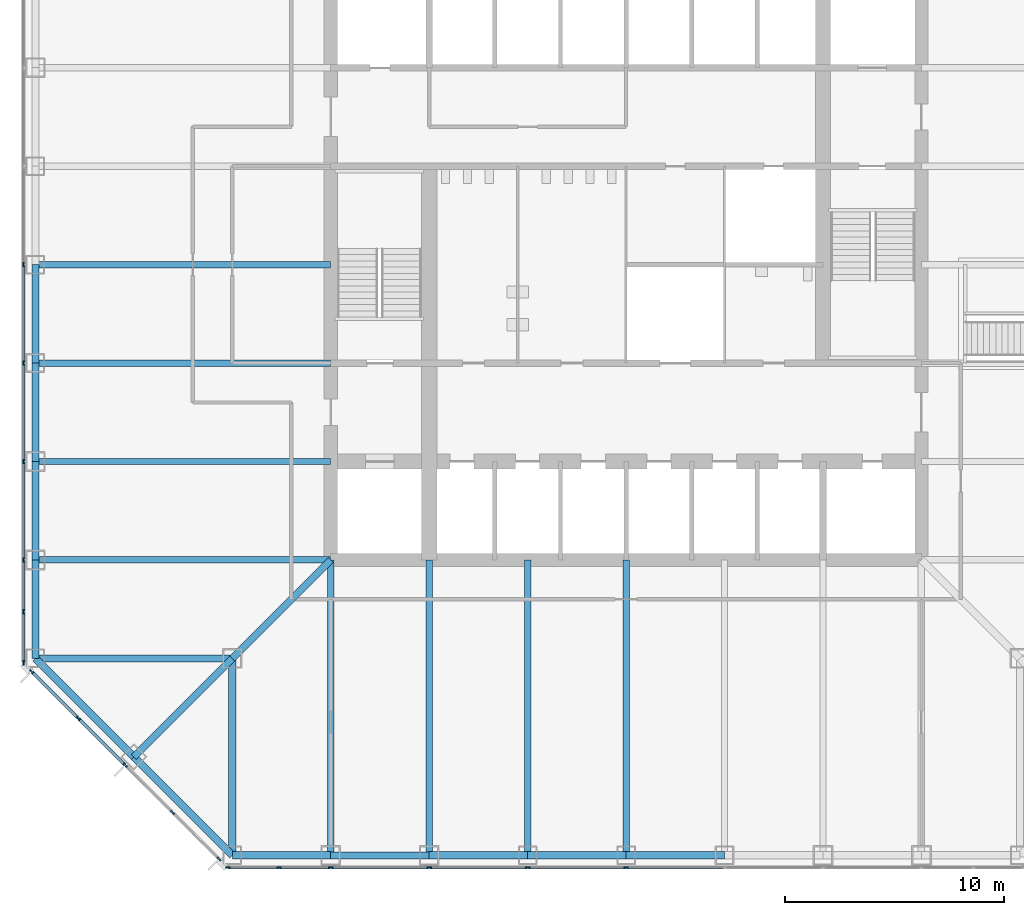
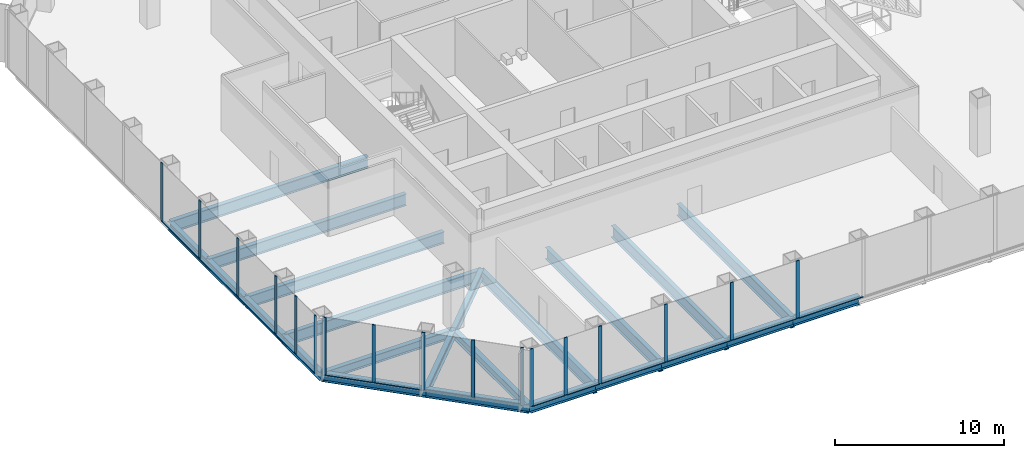
# One storey, part 2 of 12: 30 members, 23 beams, 3 elements without a shape of their own.
"""IFC4 building model written with IfcOpenShell, lengths in metres."""

from ifc_helpers import new_model, si_unit, direction, frame, origin, origin_2d, place, context, subcontext, project, spatial, rectangle, i_section, extrude, material, material_profile, profile_set, type_object, element, aggregate, save


model = new_model("IFC4")

# Units and contexts
model_context = context("Model", 3, precision=1e-05, world=origin(), true_north=direction((0.0, 1.0)))
body_context = subcontext(model_context, "Body", "Model", "MODEL_VIEW")
ifc_project = project(units=[si_unit("LENGTHUNIT", "METRE"), si_unit("AREAUNIT", "SQUARE_METRE"), si_unit("VOLUMEUNIT", "CUBIC_METRE"), si_unit("PLANEANGLEUNIT", "RADIAN"), si_unit("MASSUNIT", "GRAM", prefix="KILO")], contexts=[model_context])

# Site, building, storey
site_placement = place(None, origin())
site = spatial("IfcSite", under=ifc_project, at=site_placement, CompositionType="ELEMENT")
building_placement = place(site_placement, origin())
building = spatial("IfcBuilding", under=site, at=building_placement, Name="Corais Broadcast Tower", CompositionType="ELEMENT")
storey_placement = place(building_placement, frame((0.0, 0.0, 33.199951171875)))
storey = spatial("IfcBuildingStorey", under=building, at=storey_placement, Name="L06", CompositionType="ELEMENT", Elevation=33.199951171875)

# Beams
ifc_material_1 = material(Name="Steel ASTM A572 Grade 50", Category="steel")
ifc_material_profile_1 = material_profile(ifc_material_1, i_section(OverallWidth=0.323974609375, OverallDepth=0.611083984375, WebThickness=0.0126953125, FlangeThickness=0.01904296875, at=origin_2d()), Name="W610x155")
ifc_profile_set_1 = profile_set([ifc_material_profile_1], Name="Steel ASTM A572 Grade 50")
beam_type_1 = type_object("IfcBeamType", Name="Chamfer tie W610x155", PredefinedType="BEAM", material=ifc_profile_set_1)
beam_1_placement = place(storey_placement, frame((4.5, 4.5, -0.46533203125), z_axis=(0.707106781187, 0.707106781187, 0.0), x_axis=(-0.707106781187, 0.707106781187, 0.0)))
element("IfcBeam", 1, at=beam_1_placement, inside=storey, type_object=beam_type_1, Name="B5 B/4 to C/5", PredefinedType="BEAM", context=body_context, shape_type="SweptSolid", body=[
    extrude(i_section(OverallWidth=0.323974609375, OverallDepth=0.611083984375, WebThickness=0.0126953125, FlangeThickness=0.01904296875, at=origin_2d()), origin(), (0.0, 0.0, 1.0), 6.364013671875),
])
ifc_material_2 = material(Name="Steel ASTM A572 Grade 50", Category="steel")
ifc_material_profile_2 = material_profile(ifc_material_2, i_section(OverallWidth=0.323974609375, OverallDepth=0.611083984375, WebThickness=0.0126953125, FlangeThickness=0.01904296875, at=origin_2d()), Name="W610x155")
ifc_profile_set_2 = profile_set([ifc_material_profile_2], Name="Steel ASTM A572 Grade 50")
beam_type_2 = type_object("IfcBeamType", Name="Corner diagonal W610x155", PredefinedType="BEAM", material=ifc_profile_set_2)
beam_2_placement = place(storey_placement, frame((9.0, 9.0, -0.46533203125), z_axis=(0.707106781187, 0.707106781187, 0.0), x_axis=(-0.707106781187, 0.707106781187, 0.0)))
element("IfcBeam", 2, at=beam_2_placement, inside=storey, type_object=beam_type_2, Name="B6 C/5 to D/6", PredefinedType="BEAM", context=body_context, shape_type="SweptSolid", body=[
    extrude(i_section(OverallWidth=0.323974609375, OverallDepth=0.611083984375, WebThickness=0.0126953125, FlangeThickness=0.01904296875, at=origin_2d()), origin(), (0.0, 0.0, 1.0), 6.364013671875),
])
ifc_material_3 = material(Name="Steel ASTM A572 Grade 50", Category="steel")
ifc_material_profile_3 = material_profile(ifc_material_3, i_section(OverallWidth=0.323974609375, OverallDepth=0.611083984375, WebThickness=0.0126953125, FlangeThickness=0.01904296875, at=origin_2d()), Name="W610x155")
ifc_profile_set_3 = profile_set([ifc_material_profile_3], Name="Steel ASTM A572 Grade 50")
beam_type_3 = type_object("IfcBeamType", Name="Corner girder W610x155", PredefinedType="BEAM", material=ifc_profile_set_3)
for number, where, z_axis, x_axis, name in (
    (3, (0.0, 9.0, -0.46533203125), (1.0, 0.0, 0.0), (0.0, 1.0, 0.0), "B4 C/3 to C/5"),
    (4, (9.0, 0.0, -0.46533203125), (0.0, 1.0, 0.0), (-1.0, 0.0, 0.0), "B4 A/5 to C/5"),
):
    element("IfcBeam", number, at=place(storey_placement, frame(where, z_axis=z_axis, x_axis=x_axis)), inside=storey, type_object=beam_type_3, Name=name, PredefinedType="BEAM", context=body_context, shape_type="SweptSolid", body=[
        extrude(i_section(OverallWidth=0.323974609375, OverallDepth=0.611083984375, WebThickness=0.0126953125, FlangeThickness=0.01904296875, at=origin_2d()), origin(), (0.0, 0.0, 1.0), 9.0),
    ])
ifc_material_4 = material(Name="Steel ASTM A572 Grade 50", Category="steel")
ifc_material_profile_4 = material_profile(ifc_material_4, i_section(OverallWidth=0.2939453125, OverallDepth=0.85107421875, WebThickness=0.01611328125, FlangeThickness=0.02685546875, at=origin_2d()), Name="W840x226")
ifc_profile_set_4 = profile_set([ifc_material_profile_4], Name="Steel ASTM A572 Grade 50")
beam_type_4 = type_object("IfcBeamType", Name="Floor beam W840x226", PredefinedType="BEAM", material=ifc_profile_set_4)
for number, where, z_axis, x_axis, name in (
    (5, (0.0, 13.5, -0.58544921875), (1.0, 0.0, 0.0), (0.0, 1.0, 0.0), "B1 D/3 to D/6"),
    (6, (0.0, 18.0, -0.58544921875), (1.0, 0.0, 0.0), (0.0, 1.0, 0.0), "B1 E/3 to E/6"),
    (7, (0.0, 22.5, -0.58544921875), (1.0, 0.0, 0.0), (0.0, 1.0, 0.0), "B1 F/3 to F/6"),
    (8, (0.0, 27.0, -0.58544921875), (1.0, 0.0, 0.0), (0.0, 1.0, 0.0), "B1 G/3 to G/6"),
    (9, (13.5, 0.0, -0.58544921875), (0.0, 1.0, 0.0), (-1.0, 0.0, 0.0), "B1 A/6 to D/6"),
    (10, (18.0, 0.0, -0.58544921875), (0.0, 1.0, 0.0), (-1.0, 0.0, 0.0), "B1 A/7 to D/7"),
    (11, (22.5, 0.0, -0.58544921875), (0.0, 1.0, 0.0), (-1.0, 0.0, 0.0), "B1 A/8 to D/8"),
    (12, (27.0, 0.0, -0.58544921875), (0.0, 1.0, 0.0), (-1.0, 0.0, 0.0), "B1 A/9 to D/9"),
):
    element("IfcBeam", number, at=place(storey_placement, frame(where, z_axis=z_axis, x_axis=x_axis)), inside=storey, type_object=beam_type_4, Name=name, PredefinedType="BEAM", context=body_context, shape_type="SweptSolid", body=[
        extrude(i_section(OverallWidth=0.2939453125, OverallDepth=0.85107421875, WebThickness=0.01611328125, FlangeThickness=0.02685546875, at=origin_2d()), origin(), (0.0, 0.0, 1.0), 13.5),
    ])

# Curtain wall, members
ifc_material_5 = material(Name="Aluminium and glass", Category="aluminium")
curtain_wall_type = type_object("IfcCurtainWallType", Name="Newsroom clear-glass curtain wall CW7", PredefinedType="NOTDEFINED", material=ifc_material_5)
curtain_wall_1_placement = place(storey_placement, origin())
curtain_wall_1 = element("IfcCurtainWall", 13, at=curtain_wall_1_placement, inside=storey, type_object=curtain_wall_type, Name="CW7 curtain wall L06 1", PredefinedType="NOTDEFINED")
ifc_material_6 = material(Name="Aluminium 6063-T6", Category="aluminium")
ifc_material_profile_5 = material_profile(ifc_material_6, rectangle(XDim=0.06494140625, YDim=0.219970703125, at=origin_2d()), Name="Mullion CW7 65x220")
ifc_profile_set_5 = profile_set([ifc_material_profile_5], Name="Aluminium 6063-T6")
member_type_1 = type_object("IfcMemberType", Name="Mullion CW7 65x220", PredefinedType="MULLION", material=ifc_profile_set_5)
member_1_placement = place(storey_placement, frame((8.3955078125, -0.17333984375, 0.0), z_axis=(0.0, 0.0, 1.0), x_axis=(-0.707106781187, -0.707106781187, 0.0)))
member_1 = element("IfcMember", 14, at=member_1_placement, type_object=member_type_1, Name="CW7 mullion 1", PredefinedType="MULLION", context=body_context, shape_type="SweptSolid", body=[
    extrude(rectangle(XDim=0.06494140625, YDim=0.219970703125, at=origin_2d()), origin(), (0.0, 0.0, 1.0), 4.199951171875),
])
member_2_placement = place(storey_placement, frame((6.264892578125, 1.957275390625, 0.0), z_axis=(0.0, 0.0, 1.0), x_axis=(-0.707106781187, -0.707106781187, 0.0)))
member_2 = element("IfcMember", 15, at=member_2_placement, type_object=member_type_1, Name="CW7 mullion 2", PredefinedType="MULLION", context=body_context, shape_type="SweptSolid", body=[
    extrude(rectangle(XDim=0.06494140625, YDim=0.219970703125, at=origin_2d()), origin(), (0.0, 0.0, 1.0), 4.199951171875),
])
member_3_placement = place(storey_placement, frame((4.111083984375, 4.111083984375, 0.0), z_axis=(0.0, 0.0, 1.0), x_axis=(-0.707106781187, -0.707106781187, 0.0)))
member_3 = element("IfcMember", 16, at=member_3_placement, type_object=member_type_1, Name="CW7 mullion 3", PredefinedType="MULLION", context=body_context, shape_type="SweptSolid", body=[
    extrude(rectangle(XDim=0.06494140625, YDim=0.219970703125, at=origin_2d()), origin(), (0.0, 0.0, 1.0), 4.199951171875),
])
member_4_placement = place(storey_placement, frame((1.957275390625, 6.264892578125, 0.0), z_axis=(0.0, 0.0, 1.0), x_axis=(-0.707106781187, -0.707106781187, 0.0)))
member_4 = element("IfcMember", 17, at=member_4_placement, type_object=member_type_1, Name="CW7 mullion 4", PredefinedType="MULLION", context=body_context, shape_type="SweptSolid", body=[
    extrude(rectangle(XDim=0.06494140625, YDim=0.219970703125, at=origin_2d()), origin(), (0.0, 0.0, 1.0), 4.199951171875),
])
member_5_placement = place(storey_placement, frame((-0.17333984375, 8.3955078125, 0.0), z_axis=(0.0, 0.0, 1.0), x_axis=(-0.707106781187, -0.707106781187, 0.0)))
member_5 = element("IfcMember", 18, at=member_5_placement, type_object=member_type_1, Name="CW7 mullion 5", PredefinedType="MULLION", context=body_context, shape_type="SweptSolid", body=[
    extrude(rectangle(XDim=0.06494140625, YDim=0.219970703125, at=origin_2d()), origin(), (0.0, 0.0, 1.0), 4.199951171875),
])

curtain_wall_2_placement = place(storey_placement, origin())
curtain_wall_2 = element("IfcCurtainWall", 19, at=curtain_wall_2_placement, inside=storey, type_object=curtain_wall_type, Name="CW7 curtain wall L06 2", PredefinedType="NOTDEFINED")
member_6_placement = place(storey_placement, frame((-0.550048828125, 8.8046875, 0.0), z_axis=(0.0, 0.0, 1.0), x_axis=(-1.0, 0.0, 0.0)))
member_6 = element("IfcMember", 20, at=member_6_placement, type_object=member_type_1, Name="CW7 mullion 1", PredefinedType="MULLION", context=body_context, shape_type="SweptSolid", body=[
    extrude(rectangle(XDim=0.06494140625, YDim=0.219970703125, at=origin_2d()), origin(), (0.0, 0.0, 1.0), 4.199951171875),
])
member_7_placement = place(storey_placement, frame((-0.550048828125, 11.135986328125, 0.0), z_axis=(0.0, 0.0, 1.0), x_axis=(-1.0, 0.0, 0.0)))
member_7 = element("IfcMember", 21, at=member_7_placement, type_object=member_type_1, Name="CW7 mullion 2", PredefinedType="MULLION", context=body_context, shape_type="SweptSolid", body=[
    extrude(rectangle(XDim=0.06494140625, YDim=0.219970703125, at=origin_2d()), origin(), (0.0, 0.0, 1.0), 4.199951171875),
])
member_8_placement = place(storey_placement, frame((-0.550048828125, 13.5, 0.0), z_axis=(0.0, 0.0, 1.0), x_axis=(-1.0, 0.0, 0.0)))
member_8 = element("IfcMember", 22, at=member_8_placement, type_object=member_type_1, Name="CW7 mullion 3", PredefinedType="MULLION", context=body_context, shape_type="SweptSolid", body=[
    extrude(rectangle(XDim=0.06494140625, YDim=0.219970703125, at=origin_2d()), origin(), (0.0, 0.0, 1.0), 4.199951171875),
])
member_9_placement = place(storey_placement, frame((-0.550048828125, 18.0, 0.0), z_axis=(0.0, 0.0, 1.0), x_axis=(-1.0, 0.0, 0.0)))
member_9 = element("IfcMember", 23, at=member_9_placement, type_object=member_type_1, Name="CW7 mullion 4", PredefinedType="MULLION", context=body_context, shape_type="SweptSolid", body=[
    extrude(rectangle(XDim=0.06494140625, YDim=0.219970703125, at=origin_2d()), origin(), (0.0, 0.0, 1.0), 4.199951171875),
])
member_10_placement = place(storey_placement, frame((-0.550048828125, 22.5, 0.0), z_axis=(0.0, 0.0, 1.0), x_axis=(-1.0, 0.0, 0.0)))
member_10 = element("IfcMember", 24, at=member_10_placement, type_object=member_type_1, Name="CW7 mullion 5", PredefinedType="MULLION", context=body_context, shape_type="SweptSolid", body=[
    extrude(rectangle(XDim=0.06494140625, YDim=0.219970703125, at=origin_2d()), origin(), (0.0, 0.0, 1.0), 4.199951171875),
])
member_11_placement = place(storey_placement, frame((-0.550048828125, 27.0, 0.0), z_axis=(0.0, 0.0, 1.0), x_axis=(-1.0, 0.0, 0.0)))
member_11 = element("IfcMember", 25, at=member_11_placement, type_object=member_type_1, Name="CW7 mullion 6", PredefinedType="MULLION", context=body_context, shape_type="SweptSolid", body=[
    extrude(rectangle(XDim=0.06494140625, YDim=0.219970703125, at=origin_2d()), origin(), (0.0, 0.0, 1.0), 4.199951171875),
])

curtain_wall_3_placement = place(storey_placement, origin())
curtain_wall_3 = element("IfcCurtainWall", 26, at=curtain_wall_3_placement, inside=storey, type_object=curtain_wall_type, Name="CW7 curtain wall L06 8", PredefinedType="NOTDEFINED")
member_12_placement = place(storey_placement, frame((27.0, -0.550048828125, 0.0), z_axis=(0.0, 0.0, 1.0), x_axis=(0.0, -1.0, 0.0)))
member_12 = element("IfcMember", 27, at=member_12_placement, type_object=member_type_1, Name="CW7 mullion 6", PredefinedType="MULLION", context=body_context, shape_type="SweptSolid", body=[
    extrude(rectangle(XDim=0.06494140625, YDim=0.219970703125, at=origin_2d()), origin(), (0.0, 0.0, 1.0), 4.199951171875),
])
member_13_placement = place(storey_placement, frame((22.5, -0.550048828125, 0.0), z_axis=(0.0, 0.0, 1.0), x_axis=(0.0, -1.0, 0.0)))
member_13 = element("IfcMember", 28, at=member_13_placement, type_object=member_type_1, Name="CW7 mullion 7", PredefinedType="MULLION", context=body_context, shape_type="SweptSolid", body=[
    extrude(rectangle(XDim=0.06494140625, YDim=0.219970703125, at=origin_2d()), origin(), (0.0, 0.0, 1.0), 4.199951171875),
])
member_14_placement = place(storey_placement, frame((18.0, -0.550048828125, 0.0), z_axis=(0.0, 0.0, 1.0), x_axis=(0.0, -1.0, 0.0)))
member_14 = element("IfcMember", 29, at=member_14_placement, type_object=member_type_1, Name="CW7 mullion 8", PredefinedType="MULLION", context=body_context, shape_type="SweptSolid", body=[
    extrude(rectangle(XDim=0.06494140625, YDim=0.219970703125, at=origin_2d()), origin(), (0.0, 0.0, 1.0), 4.199951171875),
])
member_15_placement = place(storey_placement, frame((13.5, -0.550048828125, 0.0), z_axis=(0.0, 0.0, 1.0), x_axis=(0.0, -1.0, 0.0)))
member_15 = element("IfcMember", 30, at=member_15_placement, type_object=member_type_1, Name="CW7 mullion 9", PredefinedType="MULLION", context=body_context, shape_type="SweptSolid", body=[
    extrude(rectangle(XDim=0.06494140625, YDim=0.219970703125, at=origin_2d()), origin(), (0.0, 0.0, 1.0), 4.199951171875),
])
member_16_placement = place(storey_placement, frame((11.135986328125, -0.550048828125, 0.0), z_axis=(0.0, 0.0, 1.0), x_axis=(0.0, -1.0, 0.0)))
member_16 = element("IfcMember", 31, at=member_16_placement, type_object=member_type_1, Name="CW7 mullion 10", PredefinedType="MULLION", context=body_context, shape_type="SweptSolid", body=[
    extrude(rectangle(XDim=0.06494140625, YDim=0.219970703125, at=origin_2d()), origin(), (0.0, 0.0, 1.0), 4.199951171875),
])
member_17_placement = place(storey_placement, frame((8.8046875, -0.550048828125, 0.0), z_axis=(0.0, 0.0, 1.0), x_axis=(0.0, -1.0, 0.0)))
member_17 = element("IfcMember", 32, at=member_17_placement, type_object=member_type_1, Name="CW7 mullion 11", PredefinedType="MULLION", context=body_context, shape_type="SweptSolid", body=[
    extrude(rectangle(XDim=0.06494140625, YDim=0.219970703125, at=origin_2d()), origin(), (0.0, 0.0, 1.0), 4.199951171875),
])

# Beams
ifc_material_7 = material(Name="Steel ASTM A572 Grade 50", Category="steel")
ifc_material_profile_6 = material_profile(ifc_material_7, i_section(OverallWidth=0.323974609375, OverallDepth=0.611083984375, WebThickness=0.0126953125, FlangeThickness=0.01904296875, at=origin_2d()), Name="W610x155")
ifc_profile_set_6 = profile_set([ifc_material_profile_6], Name="Steel ASTM A572 Grade 50")
beam_type_5 = type_object("IfcBeamType", Name="Pinned spandrel W610x155", PredefinedType="BEAM", material=ifc_profile_set_6)
for number, where, z_axis, x_axis, name in (
    (33, (0.0, 18.0, -0.46533203125), (0.0, -1.0, 0.0), (1.0, 0.0, 0.0), "SB6 E/3 to D/3"),
    (34, (13.5, 0.0, -0.46533203125), (1.0, 0.0, 0.0), (0.0, 1.0, 0.0), "SB6 A/6 to A/7"),
):
    element("IfcBeam", number, at=place(storey_placement, frame(where, z_axis=z_axis, x_axis=x_axis)), inside=storey, type_object=beam_type_5, Name=name, PredefinedType="BEAM", context=body_context, shape_type="SweptSolid", body=[
        extrude(i_section(OverallWidth=0.323974609375, OverallDepth=0.611083984375, WebThickness=0.0126953125, FlangeThickness=0.01904296875, at=origin_2d()), origin(), (0.0, 0.0, 1.0), 4.5),
    ])
ifc_material_8 = material(Name="Steel ASTM A572 Grade 50", Category="steel")
ifc_material_profile_7 = material_profile(ifc_material_8, i_section(OverallWidth=0.3291015625, OverallDepth=0.635009765625, WebThickness=0.017822265625, FlangeThickness=0.031005859375, at=origin_2d()), Name="W610x241")
ifc_profile_set_7 = profile_set([ifc_material_profile_7], Name="Steel ASTM A572 Grade 50")
beam_type_6 = type_object("IfcBeamType", Name="Spandrel W610x241", PredefinedType="BEAM", material=ifc_profile_set_7)
for number, where, z_axis, x_axis, name in (
    (35, (0.0, 13.5, -0.4775390625), (0.0, -1.0, 0.0), (1.0, 0.0, 0.0), "SB1 D/3 to C/3"),
    (36, (0.0, 22.5, -0.4775390625), (0.0, -1.0, 0.0), (1.0, 0.0, 0.0), "SB1 F/3 to E/3"),
    (37, (0.0, 27.0, -0.4775390625), (0.0, -1.0, 0.0), (1.0, 0.0, 0.0), "SB1 G/3 to F/3"),
):
    element("IfcBeam", number, at=place(storey_placement, frame(where, z_axis=z_axis, x_axis=x_axis)), inside=storey, type_object=beam_type_6, Name=name, PredefinedType="BEAM", context=body_context, shape_type="SweptSolid", body=[
        extrude(i_section(OverallWidth=0.3291015625, OverallDepth=0.635009765625, WebThickness=0.017822265625, FlangeThickness=0.031005859375, at=origin_2d()), origin(), (0.0, 0.0, 1.0), 4.5),
    ])
beam_3_placement = place(storey_placement, frame((0.0, 9.0, -0.4775390625), z_axis=(0.707106781187, -0.707106781187, 0.0), x_axis=(0.707106781187, 0.707106781187, 0.0)))
element("IfcBeam", 38, at=beam_3_placement, inside=storey, type_object=beam_type_6, Name="SB1 C/3 to B/4", PredefinedType="BEAM", context=body_context, shape_type="SweptSolid", body=[
    extrude(i_section(OverallWidth=0.3291015625, OverallDepth=0.635009765625, WebThickness=0.017822265625, FlangeThickness=0.031005859375, at=origin_2d()), origin(), (0.0, 0.0, 1.0), 6.364013671875),
])
for number, where, z_axis, x_axis, name in (
    (39, (18.0, 0.0, -0.4775390625), (1.0, 0.0, 0.0), (0.0, 1.0, 0.0), "SB1 A/7 to A/8"),
    (40, (22.5, 0.0, -0.4775390625), (1.0, 0.0, 0.0), (0.0, 1.0, 0.0), "SB1 A/8 to A/9"),
    (41, (27.0, 0.0, -0.4775390625), (1.0, 0.0, 0.0), (0.0, 1.0, 0.0), "SB1 A/9 to A/10"),
):
    element("IfcBeam", number, at=place(storey_placement, frame(where, z_axis=z_axis, x_axis=x_axis)), inside=storey, type_object=beam_type_6, Name=name, PredefinedType="BEAM", context=body_context, shape_type="SweptSolid", body=[
        extrude(i_section(OverallWidth=0.3291015625, OverallDepth=0.635009765625, WebThickness=0.017822265625, FlangeThickness=0.031005859375, at=origin_2d()), origin(), (0.0, 0.0, 1.0), 4.5),
    ])
beam_4_placement = place(storey_placement, frame((4.5, 4.5, -0.4775390625), z_axis=(0.707106781187, -0.707106781187, 0.0), x_axis=(0.707106781187, 0.707106781187, 0.0)))
element("IfcBeam", 42, at=beam_4_placement, inside=storey, type_object=beam_type_6, Name="SB1 B/4 to A/5", PredefinedType="BEAM", context=body_context, shape_type="SweptSolid", body=[
    extrude(i_section(OverallWidth=0.3291015625, OverallDepth=0.635009765625, WebThickness=0.017822265625, FlangeThickness=0.031005859375, at=origin_2d()), origin(), (0.0, 0.0, 1.0), 6.364013671875),
])
beam_5_placement = place(storey_placement, frame((9.0, 0.0, -0.4775390625), z_axis=(1.0, 0.0, 0.0), x_axis=(0.0, 1.0, 0.0)))
element("IfcBeam", 43, at=beam_5_placement, inside=storey, type_object=beam_type_6, Name="SB1 A/5 to A/6", PredefinedType="BEAM", context=body_context, shape_type="SweptSolid", body=[
    extrude(i_section(OverallWidth=0.3291015625, OverallDepth=0.635009765625, WebThickness=0.017822265625, FlangeThickness=0.031005859375, at=origin_2d()), origin(), (0.0, 0.0, 1.0), 4.5),
])

# Member
ifc_material_9 = material(Name="Aluminium 6063-T6", Category="aluminium")
ifc_material_profile_8 = material_profile(ifc_material_9, rectangle(XDim=0.14990234375, YDim=0.06494140625, at=origin_2d()), Name="Transom CW7 65x150")
ifc_profile_set_8 = profile_set([ifc_material_profile_8], Name="Aluminium 6063-T6")
member_type_2 = type_object("IfcMemberType", Name="Transom CW7 65x150", PredefinedType="USERDEFINED", material=ifc_profile_set_8)
member_18_placement = place(storey_placement, frame((4.088134765625, 4.134033203125, 0.032470703125), z_axis=(-0.707106781187, 0.707106781187, 0.0), x_axis=(-0.707106781187, -0.707106781187, 0.0)))
member_18 = element("IfcMember", 44, at=member_18_placement, type_object=member_type_2, Name="CW7 transom 3.1", ObjectType="TRANSOM", PredefinedType="USERDEFINED", context=body_context, shape_type="SweptSolid", body=[
    extrude(rectangle(XDim=0.14990234375, YDim=0.06494140625, at=origin_2d()), origin(), (0.0, 0.0, 1.0), 2.98095703125),
])

member_19_placement = place(storey_placement, frame((1.934326171875, 6.287841796875, 0.032470703125), z_axis=(-0.707106781187, 0.707106781187, 0.0), x_axis=(-0.707106781187, -0.707106781187, 0.0)))
member_19 = element("IfcMember", 45, at=member_19_placement, type_object=member_type_2, Name="CW7 transom 4.1", ObjectType="TRANSOM", PredefinedType="USERDEFINED", context=body_context, shape_type="SweptSolid", body=[
    extrude(rectangle(XDim=0.14990234375, YDim=0.06494140625, at=origin_2d()), origin(), (0.0, 0.0, 1.0), 2.9482421875),
])

aggregate(curtain_wall_1, [member_1, member_2, member_3, member_4, member_5, member_18, member_19])

member_20_placement = place(storey_placement, frame((-0.550048828125, 8.837158203125, 0.032470703125), z_axis=(0.0, 1.0, 0.0), x_axis=(-1.0, 0.0, 0.0)))
member_20 = element("IfcMember", 46, at=member_20_placement, type_object=member_type_2, Name="CW7 transom 1.1", ObjectType="TRANSOM", PredefinedType="USERDEFINED", context=body_context, shape_type="SweptSolid", body=[
    extrude(rectangle(XDim=0.14990234375, YDim=0.06494140625, at=origin_2d()), origin(), (0.0, 0.0, 1.0), 2.266357421875),
])

member_21_placement = place(storey_placement, frame((-0.550048828125, 11.168701171875, 0.032470703125), z_axis=(0.0, 1.0, 0.0), x_axis=(-1.0, 0.0, 0.0)))
member_21 = element("IfcMember", 47, at=member_21_placement, type_object=member_type_2, Name="CW7 transom 2.1", ObjectType="TRANSOM", PredefinedType="USERDEFINED", context=body_context, shape_type="SweptSolid", body=[
    extrude(rectangle(XDim=0.14990234375, YDim=0.06494140625, at=origin_2d()), origin(), (0.0, 0.0, 1.0), 2.298828125),
])

member_22_placement = place(storey_placement, frame((-0.550048828125, 13.532470703125, 0.032470703125), z_axis=(0.0, 1.0, 0.0), x_axis=(-1.0, 0.0, 0.0)))
member_22 = element("IfcMember", 48, at=member_22_placement, type_object=member_type_2, Name="CW7 transom 3.1", ObjectType="TRANSOM", PredefinedType="USERDEFINED", context=body_context, shape_type="SweptSolid", body=[
    extrude(rectangle(XDim=0.14990234375, YDim=0.06494140625, at=origin_2d()), origin(), (0.0, 0.0, 1.0), 4.43505859375),
])

member_23_placement = place(storey_placement, frame((-0.550048828125, 18.032470703125, 0.032470703125), z_axis=(0.0, 1.0, 0.0), x_axis=(-1.0, 0.0, 0.0)))
member_23 = element("IfcMember", 49, at=member_23_placement, type_object=member_type_2, Name="CW7 transom 4.1", ObjectType="TRANSOM", PredefinedType="USERDEFINED", context=body_context, shape_type="SweptSolid", body=[
    extrude(rectangle(XDim=0.14990234375, YDim=0.06494140625, at=origin_2d()), origin(), (0.0, 0.0, 1.0), 4.43505859375),
])

member_24_placement = place(storey_placement, frame((-0.550048828125, 22.532470703125, 0.032470703125), z_axis=(0.0, 1.0, 0.0), x_axis=(-1.0, 0.0, 0.0)))
member_24 = element("IfcMember", 50, at=member_24_placement, type_object=member_type_2, Name="CW7 transom 5.1", ObjectType="TRANSOM", PredefinedType="USERDEFINED", context=body_context, shape_type="SweptSolid", body=[
    extrude(rectangle(XDim=0.14990234375, YDim=0.06494140625, at=origin_2d()), origin(), (0.0, 0.0, 1.0), 4.43505859375),
])

aggregate(curtain_wall_2, [member_6, member_7, member_8, member_9, member_10, member_11, member_20, member_21, member_22, member_23, member_24])

member_25_placement = place(storey_placement, frame((31.467529296875, -0.550048828125, 0.032470703125), z_axis=(-1.0, 0.0, 0.0), x_axis=(0.0, -1.0, 0.0)))
member_25 = element("IfcMember", 51, at=member_25_placement, type_object=member_type_2, Name="CW7 transom 5.1", ObjectType="TRANSOM", PredefinedType="USERDEFINED", context=body_context, shape_type="SweptSolid", body=[
    extrude(rectangle(XDim=0.14990234375, YDim=0.06494140625, at=origin_2d()), origin(), (0.0, 0.0, 1.0), 4.43505859375),
])

member_26_placement = place(storey_placement, frame((26.967529296875, -0.550048828125, 0.032470703125), z_axis=(-1.0, 0.0, 0.0), x_axis=(0.0, -1.0, 0.0)))
member_26 = element("IfcMember", 52, at=member_26_placement, type_object=member_type_2, Name="CW7 transom 6.1", ObjectType="TRANSOM", PredefinedType="USERDEFINED", context=body_context, shape_type="SweptSolid", body=[
    extrude(rectangle(XDim=0.14990234375, YDim=0.06494140625, at=origin_2d()), origin(), (0.0, 0.0, 1.0), 4.43505859375),
])

member_27_placement = place(storey_placement, frame((22.467529296875, -0.550048828125, 0.032470703125), z_axis=(-1.0, 0.0, 0.0), x_axis=(0.0, -1.0, 0.0)))
member_27 = element("IfcMember", 53, at=member_27_placement, type_object=member_type_2, Name="CW7 transom 7.1", ObjectType="TRANSOM", PredefinedType="USERDEFINED", context=body_context, shape_type="SweptSolid", body=[
    extrude(rectangle(XDim=0.14990234375, YDim=0.06494140625, at=origin_2d()), origin(), (0.0, 0.0, 1.0), 4.43505859375),
])

member_28_placement = place(storey_placement, frame((17.967529296875, -0.550048828125, 0.032470703125), z_axis=(-1.0, 0.0, 0.0), x_axis=(0.0, -1.0, 0.0)))
member_28 = element("IfcMember", 54, at=member_28_placement, type_object=member_type_2, Name="CW7 transom 8.1", ObjectType="TRANSOM", PredefinedType="USERDEFINED", context=body_context, shape_type="SweptSolid", body=[
    extrude(rectangle(XDim=0.14990234375, YDim=0.06494140625, at=origin_2d()), origin(), (0.0, 0.0, 1.0), 4.43505859375),
])

member_29_placement = place(storey_placement, frame((13.467529296875, -0.550048828125, 0.032470703125), z_axis=(-1.0, 0.0, 0.0), x_axis=(0.0, -1.0, 0.0)))
member_29 = element("IfcMember", 55, at=member_29_placement, type_object=member_type_2, Name="CW7 transom 9.1", ObjectType="TRANSOM", PredefinedType="USERDEFINED", context=body_context, shape_type="SweptSolid", body=[
    extrude(rectangle(XDim=0.14990234375, YDim=0.06494140625, at=origin_2d()), origin(), (0.0, 0.0, 1.0), 2.298828125),
])

member_30_placement = place(storey_placement, frame((11.103515625, -0.550048828125, 0.032470703125), z_axis=(-1.0, 0.0, 0.0), x_axis=(0.0, -1.0, 0.0)))
member_30 = element("IfcMember", 56, at=member_30_placement, type_object=member_type_2, Name="CW7 transom 10.1", ObjectType="TRANSOM", PredefinedType="USERDEFINED", context=body_context, shape_type="SweptSolid", body=[
    extrude(rectangle(XDim=0.14990234375, YDim=0.06494140625, at=origin_2d()), origin(), (0.0, 0.0, 1.0), 2.266357421875),
])

aggregate(curtain_wall_3, [member_12, member_13, member_14, member_15, member_16, member_17, member_25, member_26, member_27, member_28, member_29, member_30])

save(model, "model.ifc")
